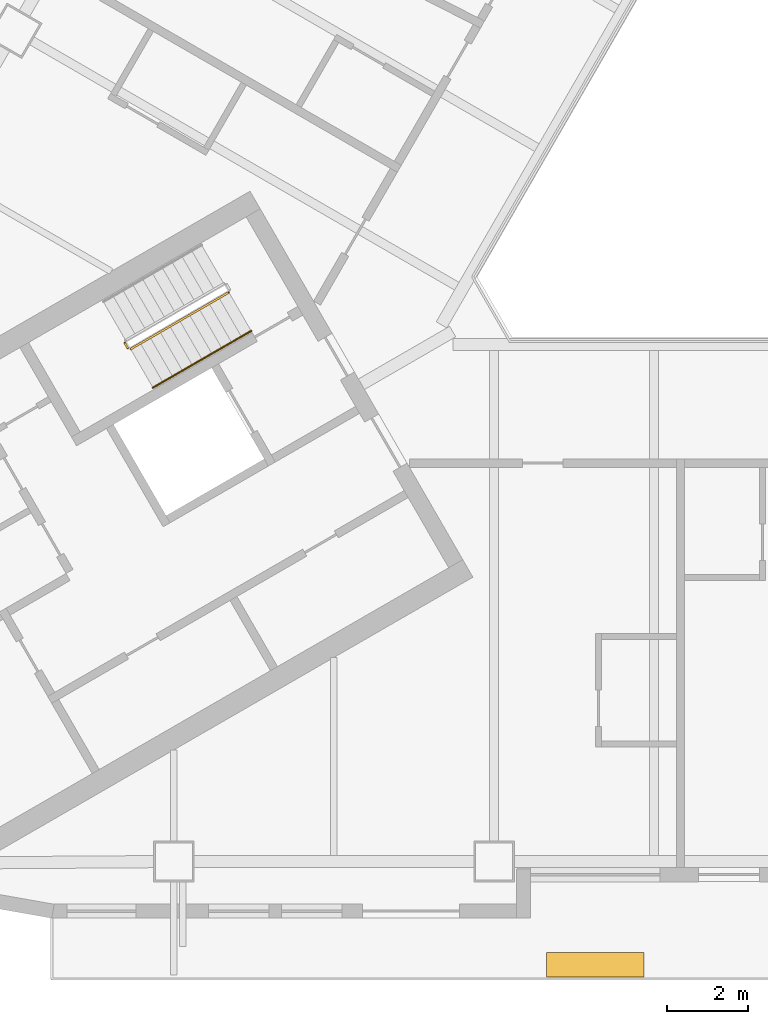
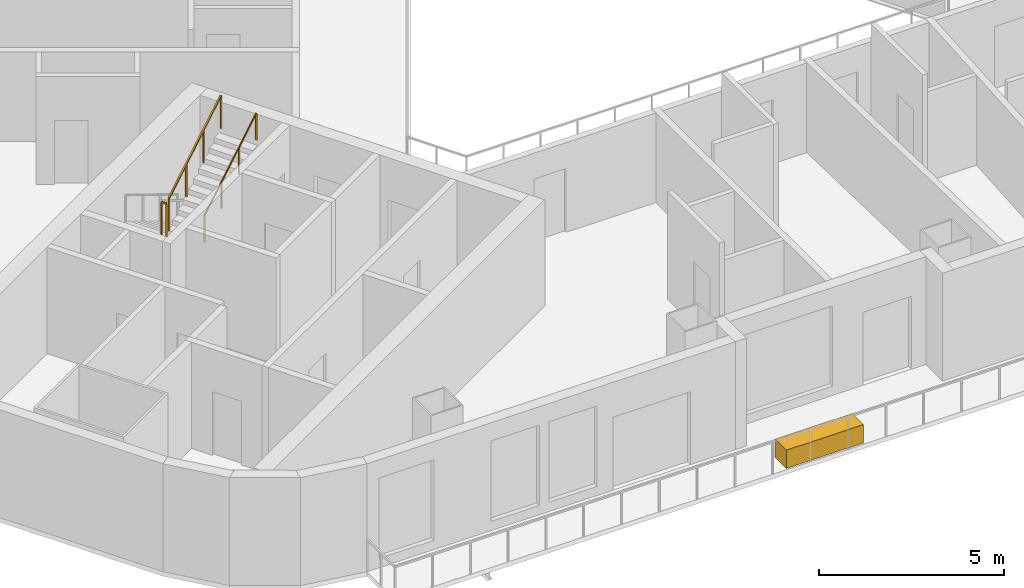
# One storey, part 9 of 14: 3 railings, 1 covering.
"""IFC4 building model written with IfcOpenShell, lengths in metres."""

from ifc_helpers import new_model, si_unit, direction, frame, origin, origin_2d, place, context, subcontext, project, spatial, rectangle, circle, extrude, material, type_object, element, save


model = new_model("IFC4")

# Units and contexts
model_context = context("Model", 3, precision=1e-05, world=origin(), true_north=direction((0.0, 1.0)))
body_context = subcontext(model_context, "Body", "Model", "MODEL_VIEW")
ifc_project = project(units=[si_unit("LENGTHUNIT", "METRE"), si_unit("AREAUNIT", "SQUARE_METRE"), si_unit("VOLUMEUNIT", "CUBIC_METRE"), si_unit("PLANEANGLEUNIT", "RADIAN"), si_unit("MASSUNIT", "GRAM", prefix="KILO")], contexts=[model_context])

# Site, building, storey
site_placement = place(None, origin())
site = spatial("IfcSite", under=ifc_project, at=site_placement, CompositionType="ELEMENT")
building_placement = place(site_placement, origin())
building = spatial("IfcBuilding", under=site, at=building_placement, Name="Apuvela Tower Hotel", CompositionType="ELEMENT")
storey_placement = place(building_placement, frame((0.0, 0.0, 50.199951171875)))
storey = spatial("IfcBuildingStorey", under=building, at=storey_placement, Name="L09", CompositionType="ELEMENT", Elevation=50.199951171875)

# Railings
ifc_material_1 = material(Name="Steel S275 balustrade", Category="steel")
railing_type_1 = type_object("IfcRailingType", Name="COR-GUARD-1100", PredefinedType="GUARDRAIL", material=ifc_material_1)
railing_1_placement = place(storey_placement, frame((-17.01220703125, -5.43408203125, 1.85009765625)))
element("IfcRailing", 1, at=railing_1_placement, inside=storey, type_object=railing_type_1, Name="L09 ST2 stair guard 2", PredefinedType="GUARDRAIL", context=body_context, shape_type="SweptSolid", body=[
    extrude(rectangle(XDim=0.048095703125, YDim=0.048095703125, at=origin_2d()), frame((0.0, 0.0, 1.076171875), z_axis=(0.499816412211, -0.866131372301, 0.0), x_axis=(0.866131372301, 0.499816412211, 0.0)), (0.0, 0.0, 1.0), 0.14990234375),
    extrude(rectangle(XDim=0.0419921875, YDim=0.0419921875, at=origin_2d()), origin(), (0.0, 0.0, 1.0), 1.052001953125),
    extrude(rectangle(XDim=0.0419921875, YDim=0.0419921875, at=origin_2d()), frame((0.074951171875, -0.1298828125, 0.0)), (0.0, 0.0, 1.0), 1.052001953125),
])
railing_2_placement = place(storey_placement, frame((-16.868896484375, -5.582275390625, 2.018310546875)))
element("IfcRailing", 2, at=railing_2_placement, inside=storey, type_object=railing_type_1, Name="L09 ST2 stair guard 3", PredefinedType="GUARDRAIL", context=body_context, shape_type="SweptSolid", body=[
    extrude(rectangle(XDim=0.048095703125, YDim=0.048095703125, at=origin_2d()), frame((0.0, 0.0, 1.076171875), z_axis=(0.74241905619, 0.428617687091, 0.514879426), x_axis=(-0.49998411664, 0.866034573852, 0.0)), (0.0, 0.0, 1.0), 3.26611328125),
    extrude(rectangle(XDim=0.0419921875, YDim=0.0419921875, at=origin_2d()), origin(), (0.0, 0.0, 1.0), 1.052001953125),
    extrude(rectangle(XDim=0.0419921875, YDim=0.0419921875, at=origin_2d()), frame((0.808349609375, 0.466552734375, 0.560546875)), (0.0, 0.0, 1.0), 1.052001953125),
    extrude(rectangle(XDim=0.0419921875, YDim=0.0419921875, at=origin_2d()), frame((1.616455078125, 0.933349609375, 1.12109375)), (0.0, 0.0, 1.0), 1.052001953125),
    extrude(rectangle(XDim=0.0419921875, YDim=0.0419921875, at=origin_2d()), frame((2.4248046875, 1.39990234375, 1.681640625)), (0.0, 0.0, 1.0), 1.052001953125),
])
ifc_material_2 = material(Name="Stainless steel 316 handrail", Category="steel")
railing_type_2 = type_object("IfcRailingType", Name="COR-HANDRAIL-900", PredefinedType="HANDRAIL", material=ifc_material_2)
railing_3_placement = place(storey_placement, frame((-16.31884765625, -6.534912109375, 2.018310546875)))
element("IfcRailing", 3, at=railing_3_placement, inside=storey, type_object=railing_type_2, Name="L09 ST2 stair handrail 2", PredefinedType="HANDRAIL", context=body_context, shape_type="SweptSolid", body=[
    extrude(circle(Radius=0.02392578125, at=origin_2d()), frame((0.0, 0.0, 0.8759765625), z_axis=(0.74241905619, 0.428617687091, 0.514879426), x_axis=(-0.49998411664, 0.866034573852, 0.0)), (0.0, 0.0, 1.0), 3.26611328125),
    extrude(rectangle(XDim=0.0419921875, YDim=0.0419921875, at=origin_2d()), origin(), (0.0, 0.0, 1.0), 0.851806640625),
    extrude(rectangle(XDim=0.0419921875, YDim=0.0419921875, at=origin_2d()), frame((0.808349609375, 0.466552734375, 0.560546875)), (0.0, 0.0, 1.0), 0.851806640625),
    extrude(rectangle(XDim=0.0419921875, YDim=0.0419921875, at=origin_2d()), frame((1.616455078125, 0.933349609375, 1.12109375)), (0.0, 0.0, 1.0), 0.851806640625),
    extrude(rectangle(XDim=0.0419921875, YDim=0.0419921875, at=origin_2d()), frame((2.4248046875, 1.39990234375, 1.681640625)), (0.0, 0.0, 1.0), 0.851806640625),
])

# Covering
ifc_material_3 = material(Name="Planting substrate and soil, planted")
covering_type = type_object("IfcCoveringType", Name="ENV-PLANTER-2400x600", PredefinedType="USERDEFINED", material=ifc_material_3)
covering_placement = place(storey_placement, frame((-5.399658203125, -20.780029296875, 0.0), z_axis=(0.0, 0.0, 1.0), x_axis=(1.0, 0.0, 0.0)))
element("IfcCovering", 4, at=covering_placement, inside=storey, type_object=covering_type, Name="Planter S1", ObjectType="PLANTER", PredefinedType="USERDEFINED", context=body_context, shape_type="SweptSolid", body=[
    extrude(rectangle(XDim=2.39990234375, YDim=0.60009765625, at=origin_2d()), origin(), (0.0, 0.0, 1.0), 0.60009765625),
])

save(model, "model.ifc")
